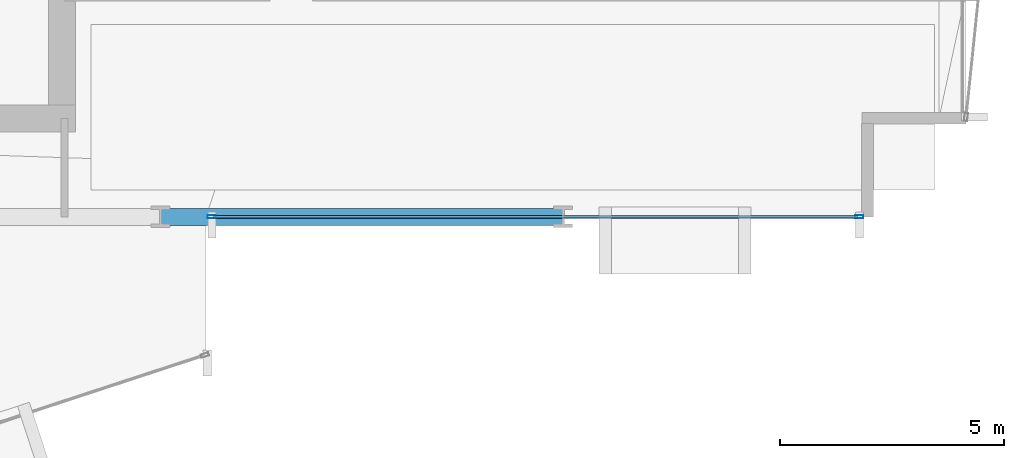
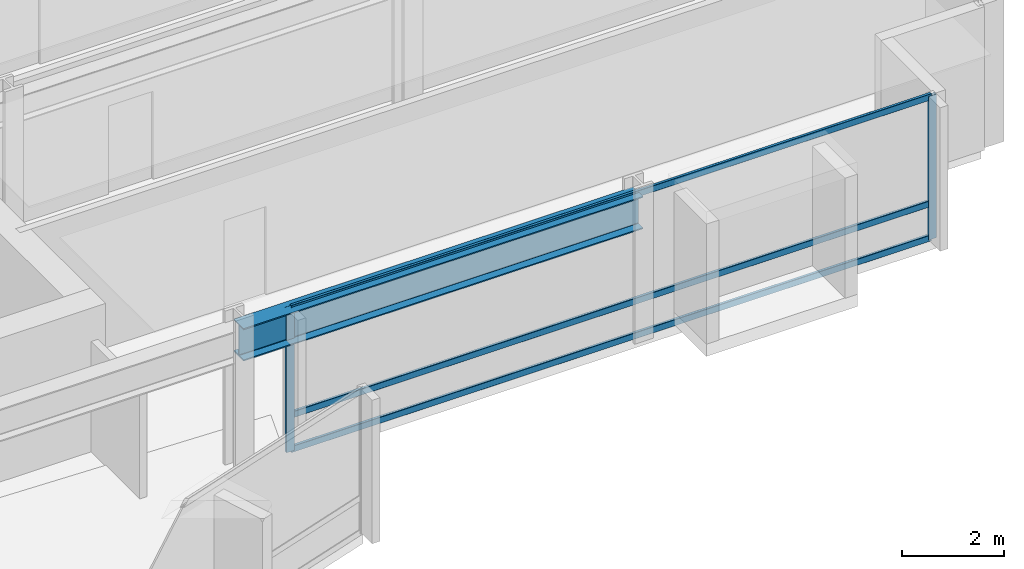
# One storey, part 12 of 34: 5 members, 1 beam, 1 element without a shape of its own.
"""IFC4 building model written with IfcOpenShell, lengths in metres."""

from ifc_helpers import new_model, si_unit, direction, frame, origin, origin_2d, place, context, subcontext, project, spatial, hollow_rectangle, i_section, extrude, material, layer, layer_set, material_profile, profile_set, type_object, element, aggregate, save


model = new_model("IFC4")

# Units and contexts
model_context = context("Model", 3, precision=1e-05, world=origin(), true_north=direction((0.0, 1.0)))
body_context = subcontext(model_context, "Body", "Model", "MODEL_VIEW")
ifc_project = project(units=[si_unit("LENGTHUNIT", "METRE"), si_unit("AREAUNIT", "SQUARE_METRE"), si_unit("VOLUMEUNIT", "CUBIC_METRE"), si_unit("PLANEANGLEUNIT", "RADIAN"), si_unit("MASSUNIT", "GRAM", prefix="KILO")], contexts=[model_context])

# Site, building, storey
site_placement = place(None, origin())
site = spatial("IfcSite", under=ifc_project, at=site_placement, CompositionType="ELEMENT")
building_placement = place(site_placement, origin())
building = spatial("IfcBuilding", under=site, at=building_placement, Name="Solvaryn Broadcast Tower", CompositionType="ELEMENT")
storey_placement = place(building_placement, frame((0.0, 0.0, 89.10009765625)))
storey = spatial("IfcBuildingStorey", under=building, at=storey_placement, Name="L21", CompositionType="ELEMENT", Elevation=89.10009765625)

# Beam
ifc_material_1 = material(Name="Steel ASTM A992 Grade 50", Category="steel")
ifc_material_profile_1 = material_profile(ifc_material_1, i_section(OverallWidth=0.381103515625, OverallDepth=0.77294921875, WebThickness=0.0166015625, FlangeThickness=0.027099609375, FilletRadius=0.01806640625, at=origin_2d()))
ifc_profile_set_1 = profile_set([ifc_material_profile_1], Name="Steel ASTM A992 Grade 50")
beam_type = type_object("IfcBeamType", Name="BM-SP1-W30X173", PredefinedType="USERDEFINED", material=ifc_profile_set_1)
beam_placement = place(storey_placement, frame((45.0, 9.0, 3.033447265625), z_axis=(1.0, 0.0, 0.0), x_axis=(0.0, 1.0, 0.0)))
element("IfcBeam", 1, at=beam_placement, inside=storey, type_object=beam_type, Name="L21 Spandrel Beam X (45-54 @ Y=9)", ObjectType="SPANDREL", PredefinedType="USERDEFINED", context=body_context, shape_type="SweptSolid", body=[
    extrude(i_section(OverallWidth=0.381103515625, OverallDepth=0.77294921875, WebThickness=0.0166015625, FlangeThickness=0.027099609375, FilletRadius=0.01806640625, at=origin_2d()), origin(), (0.0, 0.0, 1.0), 9.0),
])

# Curtain wall, members
ifc_material_2 = material(Name="Aluminium and Terracotta Unitised Curtain Wall", Category="masonry")
ifc_layer = layer(ifc_material_2, 0.199951171875)
ifc_layer_set = layer_set([ifc_layer], Name="CW-SYS2-LOWMID")
curtain_wall_type = type_object("IfcCurtainWallType", Name="CW-SYS2-LOWMID", PredefinedType="NOTDEFINED", material=ifc_layer_set)
curtain_wall_placement = place(storey_placement, origin())
curtain_wall = element("IfcCurtainWall", 2, at=curtain_wall_placement, inside=storey, type_object=curtain_wall_type, Name="L21 Curtain Wall S2", PredefinedType="NOTDEFINED")
ifc_material_3 = material(Name="Anodised Aluminium 6063-T6", Category="aluminium")
ifc_material_profile_2 = material_profile(ifc_material_3, hollow_rectangle(XDim=0.074951171875, YDim=0.179931640625, WallThickness=0.00390625, InnerFilletRadius=0.00390625, OuterFilletRadius=0.008056640625, at=origin_2d()))
ifc_profile_set_2 = profile_set([ifc_material_profile_2], Name="Anodised Aluminium 6063-T6")
member_type_1 = type_object("IfcMemberType", Name="CW-MUL-180", PredefinedType="MULLION", material=ifc_profile_set_2)
member_1_placement = place(storey_placement, frame((46.14599609375, 9.0, 0.0), z_axis=(0.0, 0.0, 1.0), x_axis=(0.0, 1.0, 0.0)))
member_1 = element("IfcMember", 3, at=member_1_placement, type_object=member_type_1, Name="CWS2 mullion 1", PredefinedType="MULLION", context=body_context, shape_type="SweptSolid", body=[
    extrude(hollow_rectangle(XDim=0.074951171875, YDim=0.179931640625, WallThickness=0.00390625, InnerFilletRadius=0.00390625, OuterFilletRadius=0.008056640625, at=origin_2d()), origin(), (0.0, 0.0, 1.0), 3.419921875),
])
member_2_placement = place(storey_placement, frame((60.6201171875, 9.0, 0.0), z_axis=(0.0, 0.0, 1.0), x_axis=(0.0, 1.0, 0.0)))
member_2 = element("IfcMember", 4, at=member_2_placement, type_object=member_type_1, Name="CWS2 mullion 2", PredefinedType="MULLION", context=body_context, shape_type="SweptSolid", body=[
    extrude(hollow_rectangle(XDim=0.074951171875, YDim=0.179931640625, WallThickness=0.00390625, InnerFilletRadius=0.00390625, OuterFilletRadius=0.008056640625, at=origin_2d()), origin(), (0.0, 0.0, 1.0), 3.419921875),
])
ifc_material_4 = material(Name="Anodised Aluminium 6063-T6", Category="aluminium")
ifc_material_profile_3 = material_profile(ifc_material_4, hollow_rectangle(XDim=0.06494140625, YDim=0.14990234375, WallThickness=0.00390625, InnerFilletRadius=0.00390625, OuterFilletRadius=0.008056640625, at=origin_2d()))
ifc_profile_set_3 = profile_set([ifc_material_profile_3], Name="Anodised Aluminium 6063-T6")
member_type_2 = type_object("IfcMemberType", Name="CW-TRN-150", PredefinedType="USERDEFINED", material=ifc_profile_set_3)
member_3_placement = place(storey_placement, frame((46.176025390625, 9.0, 0.02978515625), z_axis=(1.0, 0.0, 0.0), x_axis=(0.0, 1.0, 0.0)))
member_3 = element("IfcMember", 5, at=member_3_placement, type_object=member_type_2, Name="CWS2 transom 1.1", ObjectType="TRANSOM", PredefinedType="USERDEFINED", context=body_context, shape_type="SweptSolid", body=[
    extrude(hollow_rectangle(XDim=0.06494140625, YDim=0.14990234375, WallThickness=0.00390625, InnerFilletRadius=0.00390625, OuterFilletRadius=0.008056640625, at=origin_2d()), origin(), (0.0, 0.0, 1.0), 14.4140625),
])
member_4_placement = place(storey_placement, frame((46.176025390625, 9.0, 0.849853515625), z_axis=(1.0, 0.0, 0.0), x_axis=(0.0, 1.0, 0.0)))
member_4 = element("IfcMember", 6, at=member_4_placement, type_object=member_type_2, Name="CWS2 transom 1.2", ObjectType="TRANSOM", PredefinedType="USERDEFINED", context=body_context, shape_type="SweptSolid", body=[
    extrude(hollow_rectangle(XDim=0.06494140625, YDim=0.14990234375, WallThickness=0.00390625, InnerFilletRadius=0.00390625, OuterFilletRadius=0.008056640625, at=origin_2d()), origin(), (0.0, 0.0, 1.0), 14.4140625),
])
member_5_placement = place(storey_placement, frame((46.176025390625, 9.0, 3.389892578125), z_axis=(1.0, 0.0, 0.0), x_axis=(0.0, 1.0, 0.0)))
member_5 = element("IfcMember", 7, at=member_5_placement, type_object=member_type_2, Name="CWS2 transom 1.3", ObjectType="TRANSOM", PredefinedType="USERDEFINED", context=body_context, shape_type="SweptSolid", body=[
    extrude(hollow_rectangle(XDim=0.06494140625, YDim=0.14990234375, WallThickness=0.00390625, InnerFilletRadius=0.00390625, OuterFilletRadius=0.008056640625, at=origin_2d()), origin(), (0.0, 0.0, 1.0), 14.4140625),
])
aggregate(curtain_wall, [member_1, member_2, member_3, member_4, member_5])

save(model, "model.ifc")
